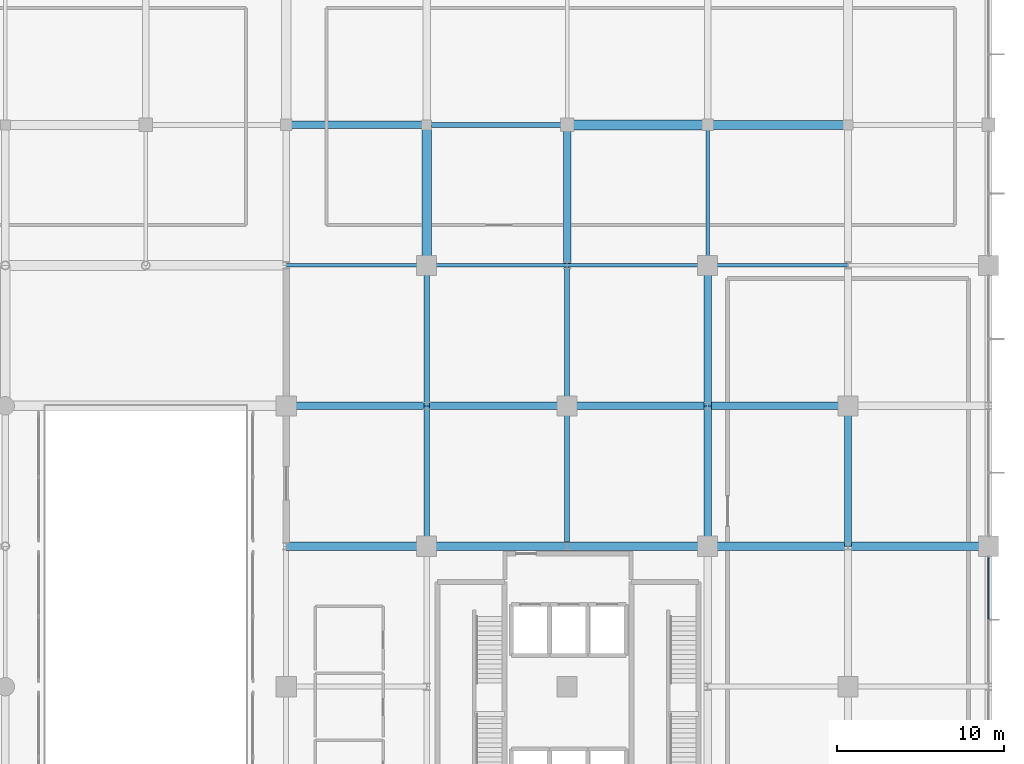
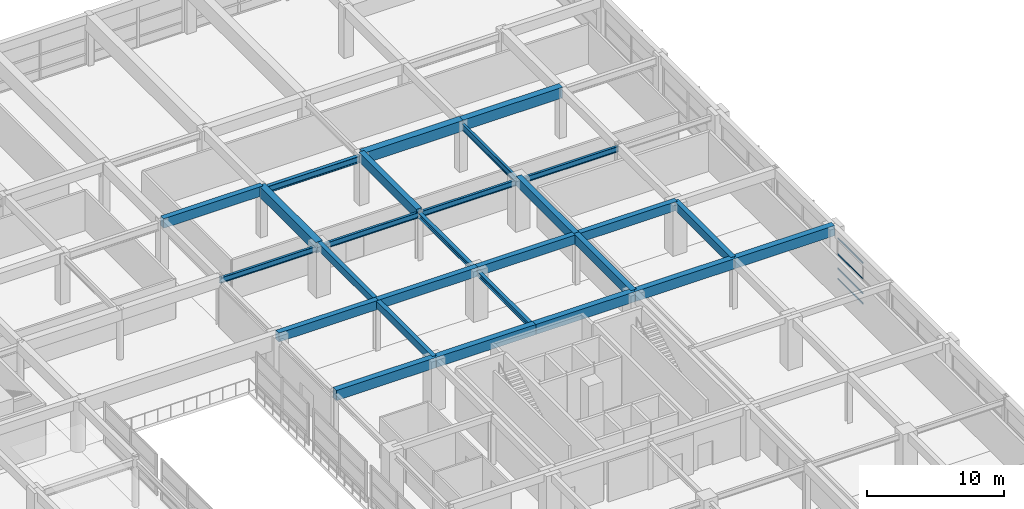
# One storey, part 38 of 65: 27 beams, 4 members, 1 element without a shape of its own.
"""IFC4 building model written with IfcOpenShell, lengths in metres."""

from ifc_helpers import new_model, si_unit, direction, frame, origin, origin_2d, place, context, subcontext, project, spatial, rectangle, i_section, extrude, material, material_profile, profile_set, type_object, element, aggregate, save


model = new_model("IFC4")

# Units and contexts
model_context = context("Model", 3, precision=1e-05, world=origin(), true_north=direction((0.0, 1.0)))
body_context = subcontext(model_context, "Body", "Model", "MODEL_VIEW")
ifc_project = project(units=[si_unit("LENGTHUNIT", "METRE"), si_unit("AREAUNIT", "SQUARE_METRE"), si_unit("VOLUMEUNIT", "CUBIC_METRE"), si_unit("PLANEANGLEUNIT", "RADIAN"), si_unit("MASSUNIT", "GRAM", prefix="KILO")], contexts=[model_context])

# Site, building, storey
site_placement = place(None, origin())
site = spatial("IfcSite", under=ifc_project, at=site_placement, CompositionType="ELEMENT")
building_placement = place(site_placement, origin())
building = spatial("IfcBuilding", under=site, at=building_placement, Name="Xuanlan Plaza Opera House", CompositionType="ELEMENT")
storey_placement = place(building_placement, frame((0.0, 0.0, 5.39990234375)))
storey = spatial("IfcBuildingStorey", under=building, at=storey_placement, Name="L01", CompositionType="ELEMENT", Elevation=5.39990234375)

# Curtain wall, members
ifc_material_1 = material(Name="Anodised Aluminium 6063-T6 and Low-E Glass", Category="aluminium")
curtain_wall_type = type_object("IfcCurtainWallType", Name="ENV-CW-CW-03", PredefinedType="USERDEFINED", material=ifc_material_1)
curtain_wall_placement = place(storey_placement, origin())
curtain_wall = element("IfcCurtainWall", 1, at=curtain_wall_placement, inside=storey, type_object=curtain_wall_type, Name="Unitised Curtain Wall L01-024", ObjectType="UNITISED CURTAIN WALL", PredefinedType="USERDEFINED")
ifc_material_2 = material(Name="Anodised Aluminium 6063-T6", Category="aluminium")
ifc_material_profile_1 = material_profile(ifc_material_2, rectangle(XDim=0.06494140625, YDim=0.1201171875, at=origin_2d()), Name="ALU-T 65x120")
ifc_profile_set_1 = profile_set([ifc_material_profile_1], Name="Anodised Aluminium 6063-T6")
member_type = type_object("IfcMemberType", Name="ENV-CWT-01", PredefinedType="USERDEFINED", material=ifc_profile_set_1)
member_1_placement = place(storey_placement, frame((168.0, 62.83837890625, 0.03271484375), z_axis=(0.0, 1.0, 0.0), x_axis=(-1.0, 0.0, 0.0)))
member_1 = element("IfcMember", 2, at=member_1_placement, type_object=member_type, Name="CW-03 transom 2.1", ObjectType="TRANSOM", PredefinedType="USERDEFINED", context=body_context, shape_type="SweptSolid", body=[
    extrude(rectangle(XDim=0.06494140625, YDim=0.1201171875, at=origin_2d()), origin(), (0.0, 0.0, 1.0), 3.671630859375),
])
member_2_placement = place(storey_placement, frame((168.0, 62.83837890625, 0.9501953125), z_axis=(0.0, 1.0, 0.0), x_axis=(-1.0, 0.0, 0.0)))
member_2 = element("IfcMember", 3, at=member_2_placement, type_object=member_type, Name="CW-03 transom 2.2", ObjectType="TRANSOM", PredefinedType="USERDEFINED", context=body_context, shape_type="SweptSolid", body=[
    extrude(rectangle(XDim=0.06494140625, YDim=0.1201171875, at=origin_2d()), origin(), (0.0, 0.0, 1.0), 3.671630859375),
])
member_3_placement = place(storey_placement, frame((168.0, 62.83837890625, 2.25), z_axis=(0.0, 1.0, 0.0), x_axis=(-1.0, 0.0, 0.0)))
member_3 = element("IfcMember", 4, at=member_3_placement, type_object=member_type, Name="CW-03 transom 2.3", ObjectType="TRANSOM", PredefinedType="USERDEFINED", context=body_context, shape_type="SweptSolid", body=[
    extrude(rectangle(XDim=0.06494140625, YDim=0.1201171875, at=origin_2d()), origin(), (0.0, 0.0, 1.0), 3.671630859375),
])
member_4_placement = place(storey_placement, frame((168.0, 62.83837890625, 3.647705078125), z_axis=(0.0, 1.0, 0.0), x_axis=(-1.0, 0.0, 0.0)))
member_4 = element("IfcMember", 5, at=member_4_placement, type_object=member_type, Name="CW-03 transom 2.4", ObjectType="TRANSOM", PredefinedType="USERDEFINED", context=body_context, shape_type="SweptSolid", body=[
    extrude(rectangle(XDim=0.06494140625, YDim=0.1201171875, at=origin_2d()), origin(), (0.0, 0.0, 1.0), 3.671630859375),
])
aggregate(curtain_wall, [member_1, member_2, member_3, member_4])

# Beams
ifc_material_3 = material(Name="Concrete C50", Category="concrete")
ifc_material_profile_2 = material_profile(ifc_material_3, rectangle(XDim=0.60009765625, YDim=0.949951171875, at=origin_2d()), Name="RC-BM 600x950")
ifc_profile_set_2 = profile_set([ifc_material_profile_2], Name="Concrete C50")
beam_type_1 = type_object("IfcBeamType", Name="STR-BM-B-01", PredefinedType="BEAM", material=ifc_profile_set_2)
beam_1_placement = place(storey_placement, frame((142.800048828125, 92.39990234375, 4.025146484375), z_axis=(1.0, 0.0, 0.0), x_axis=(0.0, 1.0, 0.0)))
element("IfcBeam", 6, at=beam_1_placement, inside=storey, type_object=beam_type_1, Name="Grid Beam X L01 18-19/L", PredefinedType="BEAM", context=body_context, shape_type="SweptSolid", body=[
    extrude(rectangle(XDim=0.60009765625, YDim=0.949951171875, at=origin_2d()), origin(), (0.0, 0.0, 1.0), 8.39990234375),
])
ifc_material_profile_3 = material_profile(ifc_material_3, rectangle(XDim=0.550048828125, YDim=0.949951171875, at=origin_2d()), Name="RC-BM 550x950")
ifc_profile_set_3 = profile_set([ifc_material_profile_3], Name="Concrete C50")
beam_type_2 = type_object("IfcBeamType", Name="STR-BM-B-02", PredefinedType="BEAM", material=ifc_profile_set_3)
beam_2_placement = place(storey_placement, frame((151.199951171875, 92.39990234375, 4.025146484375), z_axis=(1.0, 0.0, 0.0), x_axis=(0.0, 1.0, 0.0)))
element("IfcBeam", 7, at=beam_2_placement, inside=storey, type_object=beam_type_2, Name="Grid Beam X L01 19-20/L", PredefinedType="BEAM", context=body_context, shape_type="SweptSolid", body=[
    extrude(rectangle(XDim=0.550048828125, YDim=0.949951171875, at=origin_2d()), origin(), (0.0, 0.0, 1.0), 8.400146484375),
])
beam_3_placement = place(storey_placement, frame((134.39990234375, 84.0, 4.025146484375), z_axis=(0.0, 1.0, 0.0), x_axis=(-1.0, 0.0, 0.0)))
element("IfcBeam", 8, at=beam_3_placement, inside=storey, type_object=beam_type_2, Name="Grid Beam Y L01 17/K-L", PredefinedType="BEAM", context=body_context, shape_type="SweptSolid", body=[
    extrude(rectangle(XDim=0.550048828125, YDim=0.949951171875, at=origin_2d()), origin(), (0.0, 0.0, 1.0), 8.39990234375),
])
ifc_material_4 = material(Name="Concrete C40", Category="concrete")
ifc_material_profile_4 = material_profile(ifc_material_4, rectangle(XDim=0.5, YDim=0.89990234375, at=origin_2d()), Name="RC-BM 500x900")
ifc_profile_set_4 = profile_set([ifc_material_profile_4], Name="Concrete C40")
beam_type_3 = type_object("IfcBeamType", Name="STR-BM-B-03", PredefinedType="BEAM", material=ifc_profile_set_4)
beam_4_placement = place(storey_placement, frame((126.0, 67.199951171875, 4.050048828125), z_axis=(1.0, 0.0, 0.0), x_axis=(0.0, 1.0, 0.0)))
element("IfcBeam", 9, at=beam_4_placement, inside=storey, type_object=beam_type_3, Name="Grid Beam X L01 16-17/I", PredefinedType="BEAM", context=body_context, shape_type="SweptSolid", body=[
    extrude(rectangle(XDim=0.5, YDim=0.89990234375, at=origin_2d()), origin(), (0.0, 0.0, 1.0), 8.39990234375),
])
beam_5_placement = place(storey_placement, frame((134.39990234375, 67.199951171875, 4.050048828125), z_axis=(1.0, 0.0, 0.0), x_axis=(0.0, 1.0, 0.0)))
element("IfcBeam", 10, at=beam_5_placement, inside=storey, type_object=beam_type_3, Name="Grid Beam X L01 17-18/I", PredefinedType="BEAM", context=body_context, shape_type="SweptSolid", body=[
    extrude(rectangle(XDim=0.5, YDim=0.89990234375, at=origin_2d()), origin(), (0.0, 0.0, 1.0), 8.400146484375),
])
beam_6_placement = place(storey_placement, frame((142.800048828125, 67.199951171875, 4.050048828125), z_axis=(1.0, 0.0, 0.0), x_axis=(0.0, 1.0, 0.0)))
element("IfcBeam", 11, at=beam_6_placement, inside=storey, type_object=beam_type_3, Name="Grid Beam X L01 18-19/I", PredefinedType="BEAM", context=body_context, shape_type="SweptSolid", body=[
    extrude(rectangle(XDim=0.5, YDim=0.89990234375, at=origin_2d()), origin(), (0.0, 0.0, 1.0), 8.39990234375),
])
beam_7_placement = place(storey_placement, frame((151.199951171875, 67.199951171875, 4.050048828125), z_axis=(1.0, 0.0, 0.0), x_axis=(0.0, 1.0, 0.0)))
element("IfcBeam", 12, at=beam_7_placement, inside=storey, type_object=beam_type_3, Name="Grid Beam X L01 19-20/I", PredefinedType="BEAM", context=body_context, shape_type="SweptSolid", body=[
    extrude(rectangle(XDim=0.5, YDim=0.89990234375, at=origin_2d()), origin(), (0.0, 0.0, 1.0), 8.400146484375),
])
beam_8_placement = place(storey_placement, frame((159.60009765625, 67.199951171875, 4.050048828125), z_axis=(1.0, 0.0, 0.0), x_axis=(0.0, 1.0, 0.0)))
element("IfcBeam", 13, at=beam_8_placement, inside=storey, type_object=beam_type_3, Name="Grid Beam X L01 20-21/I", PredefinedType="BEAM", context=body_context, shape_type="SweptSolid", body=[
    extrude(rectangle(XDim=0.5, YDim=0.89990234375, at=origin_2d()), origin(), (0.0, 0.0, 1.0), 8.39990234375),
])
ifc_material_profile_5 = material_profile(ifc_material_4, rectangle(XDim=0.449951171875, YDim=0.85009765625, at=origin_2d()), Name="RC-BM 450x850")
ifc_profile_set_5 = profile_set([ifc_material_profile_5], Name="Concrete C40")
beam_type_4 = type_object("IfcBeamType", Name="STR-BM-B-04", PredefinedType="BEAM", material=ifc_profile_set_5)
for number, where, z_axis, x_axis, name in (
    (14, (126.0, 92.39990234375, 4.0751953125), (1.0, 0.0, 0.0), (0.0, 1.0, 0.0), "Grid Beam X L01 16-17/L"),
    (15, (142.800048828125, 84.0, 4.0751953125), (0.0, 1.0, 0.0), (-1.0, 0.0, 0.0), "Grid Beam Y L01 18/K-L"),
):
    element("IfcBeam", number, at=place(storey_placement, frame(where, z_axis=z_axis, x_axis=x_axis)), inside=storey, type_object=beam_type_4, Name=name, PredefinedType="BEAM", context=body_context, shape_type="SweptSolid", body=[
        extrude(rectangle(XDim=0.449951171875, YDim=0.85009765625, at=origin_2d()), origin(), (0.0, 0.0, 1.0), 8.39990234375),
    ])
beam_9_placement = place(storey_placement, frame((151.199951171875, 67.199951171875, 4.0751953125), z_axis=(0.0, 1.0, 0.0), x_axis=(-1.0, 0.0, 0.0)))
element("IfcBeam", 16, at=beam_9_placement, inside=storey, type_object=beam_type_4, Name="Grid Beam Y L01 19/I-J", PredefinedType="BEAM", context=body_context, shape_type="SweptSolid", body=[
    extrude(rectangle(XDim=0.449951171875, YDim=0.85009765625, at=origin_2d()), origin(), (0.0, 0.0, 1.0), 8.400146484375),
])
beam_10_placement = place(storey_placement, frame((151.199951171875, 75.60009765625, 4.0751953125), z_axis=(0.0, 1.0, 0.0), x_axis=(-1.0, 0.0, 0.0)))
element("IfcBeam", 17, at=beam_10_placement, inside=storey, type_object=beam_type_4, Name="Grid Beam Y L01 19/J-K", PredefinedType="BEAM", context=body_context, shape_type="SweptSolid", body=[
    extrude(rectangle(XDim=0.449951171875, YDim=0.85009765625, at=origin_2d()), origin(), (0.0, 0.0, 1.0), 8.39990234375),
])
ifc_material_profile_6 = material_profile(ifc_material_4, rectangle(XDim=0.449951171875, YDim=0.800048828125, at=origin_2d()), Name="RC-BM 450x800")
ifc_profile_set_6 = profile_set([ifc_material_profile_6], Name="Concrete C40")
beam_type_5 = type_object("IfcBeamType", Name="STR-BM-B-05", PredefinedType="BEAM", material=ifc_profile_set_6)
beam_11_placement = place(storey_placement, frame((126.0, 75.60009765625, 4.10009765625), z_axis=(1.0, 0.0, 0.0), x_axis=(0.0, 1.0, 0.0)))
element("IfcBeam", 18, at=beam_11_placement, inside=storey, type_object=beam_type_5, Name="Grid Beam X L01 16-17/J", PredefinedType="BEAM", context=body_context, shape_type="SweptSolid", body=[
    extrude(rectangle(XDim=0.449951171875, YDim=0.800048828125, at=origin_2d()), origin(), (0.0, 0.0, 1.0), 8.39990234375),
])
beam_12_placement = place(storey_placement, frame((134.39990234375, 75.60009765625, 4.10009765625), z_axis=(1.0, 0.0, 0.0), x_axis=(0.0, 1.0, 0.0)))
element("IfcBeam", 19, at=beam_12_placement, inside=storey, type_object=beam_type_5, Name="Grid Beam X L01 17-18/J", PredefinedType="BEAM", context=body_context, shape_type="SweptSolid", body=[
    extrude(rectangle(XDim=0.449951171875, YDim=0.800048828125, at=origin_2d()), origin(), (0.0, 0.0, 1.0), 8.400146484375),
])
beam_13_placement = place(storey_placement, frame((142.800048828125, 75.60009765625, 4.10009765625), z_axis=(1.0, 0.0, 0.0), x_axis=(0.0, 1.0, 0.0)))
element("IfcBeam", 20, at=beam_13_placement, inside=storey, type_object=beam_type_5, Name="Grid Beam X L01 18-19/J", PredefinedType="BEAM", context=body_context, shape_type="SweptSolid", body=[
    extrude(rectangle(XDim=0.449951171875, YDim=0.800048828125, at=origin_2d()), origin(), (0.0, 0.0, 1.0), 8.39990234375),
])
beam_14_placement = place(storey_placement, frame((151.199951171875, 75.60009765625, 4.10009765625), z_axis=(1.0, 0.0, 0.0), x_axis=(0.0, 1.0, 0.0)))
element("IfcBeam", 21, at=beam_14_placement, inside=storey, type_object=beam_type_5, Name="Grid Beam X L01 19-20/J", PredefinedType="BEAM", context=body_context, shape_type="SweptSolid", body=[
    extrude(rectangle(XDim=0.449951171875, YDim=0.800048828125, at=origin_2d()), origin(), (0.0, 0.0, 1.0), 8.400146484375),
])
ifc_material_profile_7 = material_profile(ifc_material_4, rectangle(XDim=0.39990234375, YDim=0.75, at=origin_2d()), Name="RC-BM 400x750")
ifc_profile_set_7 = profile_set([ifc_material_profile_7], Name="Concrete C40")
beam_type_6 = type_object("IfcBeamType", Name="STR-BM-B-06", PredefinedType="BEAM", material=ifc_profile_set_7)
beam_15_placement = place(storey_placement, frame((159.60009765625, 67.199951171875, 4.125), z_axis=(0.0, 1.0, 0.0), x_axis=(-1.0, 0.0, 0.0)))
element("IfcBeam", 22, at=beam_15_placement, inside=storey, type_object=beam_type_6, Name="Grid Beam Y L01 20/I-J", PredefinedType="BEAM", context=body_context, shape_type="SweptSolid", body=[
    extrude(rectangle(XDim=0.39990234375, YDim=0.75, at=origin_2d()), origin(), (0.0, 0.0, 1.0), 8.400146484375),
])
ifc_material_profile_8 = material_profile(ifc_material_4, rectangle(XDim=0.35009765625, YDim=0.64990234375, at=origin_2d()), Name="RC-BM 350x650")
ifc_profile_set_8 = profile_set([ifc_material_profile_8], Name="Concrete C40")
beam_type_7 = type_object("IfcBeamType", Name="STR-BM-B-08", PredefinedType="BEAM", material=ifc_profile_set_8)
beam_16_placement = place(storey_placement, frame((134.39990234375, 67.199951171875, 4.175048828125), z_axis=(0.0, 1.0, 0.0), x_axis=(-1.0, 0.0, 0.0)))
element("IfcBeam", 23, at=beam_16_placement, inside=storey, type_object=beam_type_7, Name="Grid Beam Y L01 17/I-J", PredefinedType="BEAM", context=body_context, shape_type="SweptSolid", body=[
    extrude(rectangle(XDim=0.35009765625, YDim=0.64990234375, at=origin_2d()), origin(), (0.0, 0.0, 1.0), 8.400146484375),
])
beam_17_placement = place(storey_placement, frame((134.39990234375, 75.60009765625, 4.175048828125), z_axis=(0.0, 1.0, 0.0), x_axis=(-1.0, 0.0, 0.0)))
element("IfcBeam", 24, at=beam_17_placement, inside=storey, type_object=beam_type_7, Name="Grid Beam Y L01 17/J-K", PredefinedType="BEAM", context=body_context, shape_type="SweptSolid", body=[
    extrude(rectangle(XDim=0.35009765625, YDim=0.64990234375, at=origin_2d()), origin(), (0.0, 0.0, 1.0), 8.39990234375),
])
ifc_material_5 = material(Name="Steel Q355B", Category="steel")
ifc_material_profile_9 = material_profile(ifc_material_5, i_section(OverallWidth=0.199951171875, OverallDepth=0.60009765625, WebThickness=0.010986328125, FlangeThickness=0.01708984375, FilletRadius=0.02197265625, at=origin_2d()), Name="HN 600x200x11x17")
ifc_profile_set_9 = profile_set([ifc_material_profile_9], Name="Steel Q355B")
beam_type_8 = type_object("IfcBeamType", Name="STR-BM-SB-04", PredefinedType="BEAM", material=ifc_profile_set_9)
beam_18_placement = place(storey_placement, frame((151.199951171875, 84.0, 3.93505859375), z_axis=(0.0, 1.0, 0.0), x_axis=(-1.0, 0.0, 0.0)))
element("IfcBeam", 25, at=beam_18_placement, inside=storey, type_object=beam_type_8, Name="Grid Beam Y L01 19/K-L", PredefinedType="BEAM", context=body_context, shape_type="SweptSolid", body=[
    extrude(i_section(OverallWidth=0.199951171875, OverallDepth=0.60009765625, WebThickness=0.010986328125, FlangeThickness=0.01708984375, FilletRadius=0.02197265625, at=origin_2d()), origin(), (0.0, 0.0, 1.0), 8.39990234375),
])
ifc_material_profile_10 = material_profile(ifc_material_5, i_section(OverallWidth=0.199951171875, OverallDepth=0.5, WebThickness=0.010009765625, FlangeThickness=0.01611328125, FilletRadius=0.02001953125, at=origin_2d()), Name="HN 500x200x10x16")
ifc_profile_set_10 = profile_set([ifc_material_profile_10], Name="Steel Q355B")
beam_type_9 = type_object("IfcBeamType", Name="STR-BM-SB-05", PredefinedType="BEAM", material=ifc_profile_set_10)
beam_19_placement = place(storey_placement, frame((126.0, 84.0, 3.985107421875), z_axis=(1.0, 0.0, 0.0), x_axis=(0.0, 1.0, 0.0)))
element("IfcBeam", 26, at=beam_19_placement, inside=storey, type_object=beam_type_9, Name="Grid Beam X L01 16-17/K", PredefinedType="BEAM", context=body_context, shape_type="SweptSolid", body=[
    extrude(i_section(OverallWidth=0.199951171875, OverallDepth=0.5, WebThickness=0.010009765625, FlangeThickness=0.01611328125, FilletRadius=0.02001953125, at=origin_2d()), origin(), (0.0, 0.0, 1.0), 8.39990234375),
])
beam_20_placement = place(storey_placement, frame((134.39990234375, 84.0, 3.985107421875), z_axis=(1.0, 0.0, 0.0), x_axis=(0.0, 1.0, 0.0)))
element("IfcBeam", 27, at=beam_20_placement, inside=storey, type_object=beam_type_9, Name="Grid Beam X L01 17-18/K", PredefinedType="BEAM", context=body_context, shape_type="SweptSolid", body=[
    extrude(i_section(OverallWidth=0.199951171875, OverallDepth=0.5, WebThickness=0.010009765625, FlangeThickness=0.01611328125, FilletRadius=0.02001953125, at=origin_2d()), origin(), (0.0, 0.0, 1.0), 8.400146484375),
])
beam_21_placement = place(storey_placement, frame((142.800048828125, 84.0, 3.985107421875), z_axis=(1.0, 0.0, 0.0), x_axis=(0.0, 1.0, 0.0)))
element("IfcBeam", 28, at=beam_21_placement, inside=storey, type_object=beam_type_9, Name="Grid Beam X L01 18-19/K", PredefinedType="BEAM", context=body_context, shape_type="SweptSolid", body=[
    extrude(i_section(OverallWidth=0.199951171875, OverallDepth=0.5, WebThickness=0.010009765625, FlangeThickness=0.01611328125, FilletRadius=0.02001953125, at=origin_2d()), origin(), (0.0, 0.0, 1.0), 8.39990234375),
])
beam_22_placement = place(storey_placement, frame((151.199951171875, 84.0, 3.985107421875), z_axis=(1.0, 0.0, 0.0), x_axis=(0.0, 1.0, 0.0)))
element("IfcBeam", 29, at=beam_22_placement, inside=storey, type_object=beam_type_9, Name="Grid Beam X L01 19-20/K", PredefinedType="BEAM", context=body_context, shape_type="SweptSolid", body=[
    extrude(i_section(OverallWidth=0.199951171875, OverallDepth=0.5, WebThickness=0.010009765625, FlangeThickness=0.01611328125, FilletRadius=0.02001953125, at=origin_2d()), origin(), (0.0, 0.0, 1.0), 8.400146484375),
])
ifc_material_profile_11 = material_profile(ifc_material_5, i_section(OverallWidth=0.300048828125, OverallDepth=0.587890625, WebThickness=0.011962890625, FlangeThickness=0.02001953125, FilletRadius=0.02392578125, at=origin_2d()), Name="HM 588x300x12x20")
ifc_profile_set_11 = profile_set([ifc_material_profile_11], Name="Steel Q355B")
beam_type_10 = type_object("IfcBeamType", Name="STR-BM-SB-06", PredefinedType="BEAM", material=ifc_profile_set_11)
beam_23_placement = place(storey_placement, frame((134.39990234375, 92.39990234375, 3.941162109375), z_axis=(1.0, 0.0, 0.0), x_axis=(0.0, 1.0, 0.0)))
element("IfcBeam", 30, at=beam_23_placement, inside=storey, type_object=beam_type_10, Name="Grid Beam X L01 17-18/L", PredefinedType="BEAM", context=body_context, shape_type="SweptSolid", body=[
    extrude(i_section(OverallWidth=0.300048828125, OverallDepth=0.587890625, WebThickness=0.011962890625, FlangeThickness=0.02001953125, FilletRadius=0.02392578125, at=origin_2d()), origin(), (0.0, 0.0, 1.0), 8.400146484375),
])
ifc_material_profile_12 = material_profile(ifc_material_5, i_section(OverallWidth=0.300048828125, OverallDepth=0.43994140625, WebThickness=0.010986328125, FlangeThickness=0.01806640625, FilletRadius=0.02001953125, at=origin_2d()), Name="HM 440x300x11x18")
ifc_profile_set_12 = profile_set([ifc_material_profile_12], Name="Steel Q355B")
beam_type_11 = type_object("IfcBeamType", Name="STR-BM-SB-08", PredefinedType="BEAM", material=ifc_profile_set_12)
beam_24_placement = place(storey_placement, frame((142.800048828125, 67.199951171875, 4.01513671875), z_axis=(0.0, 1.0, 0.0), x_axis=(-1.0, 0.0, 0.0)))
element("IfcBeam", 31, at=beam_24_placement, inside=storey, type_object=beam_type_11, Name="Grid Beam Y L01 18/I-J", PredefinedType="BEAM", context=body_context, shape_type="SweptSolid", body=[
    extrude(i_section(OverallWidth=0.300048828125, OverallDepth=0.43994140625, WebThickness=0.010986328125, FlangeThickness=0.01806640625, FilletRadius=0.02001953125, at=origin_2d()), origin(), (0.0, 0.0, 1.0), 8.400146484375),
])
beam_25_placement = place(storey_placement, frame((142.800048828125, 75.60009765625, 4.01513671875), z_axis=(0.0, 1.0, 0.0), x_axis=(-1.0, 0.0, 0.0)))
element("IfcBeam", 32, at=beam_25_placement, inside=storey, type_object=beam_type_11, Name="Grid Beam Y L01 18/J-K", PredefinedType="BEAM", context=body_context, shape_type="SweptSolid", body=[
    extrude(i_section(OverallWidth=0.300048828125, OverallDepth=0.43994140625, WebThickness=0.010986328125, FlangeThickness=0.01806640625, FilletRadius=0.02001953125, at=origin_2d()), origin(), (0.0, 0.0, 1.0), 8.39990234375),
])

save(model, "model.ifc")
